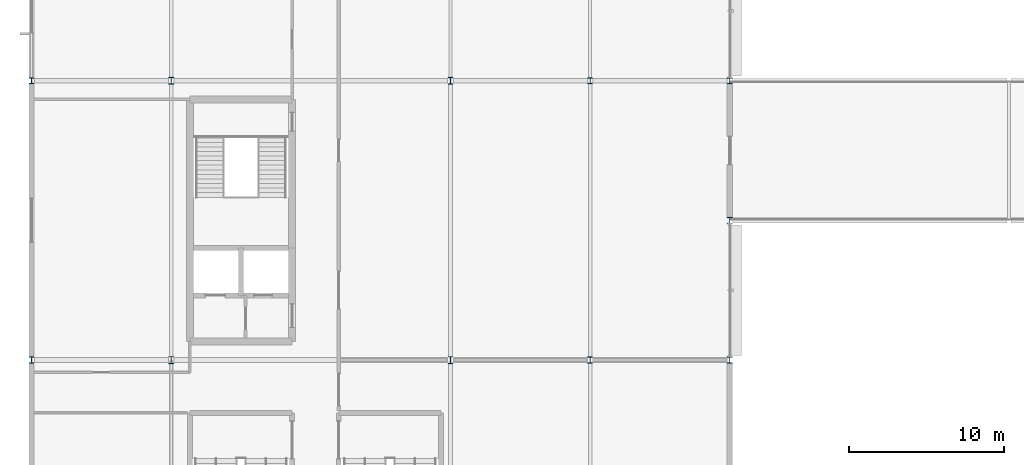
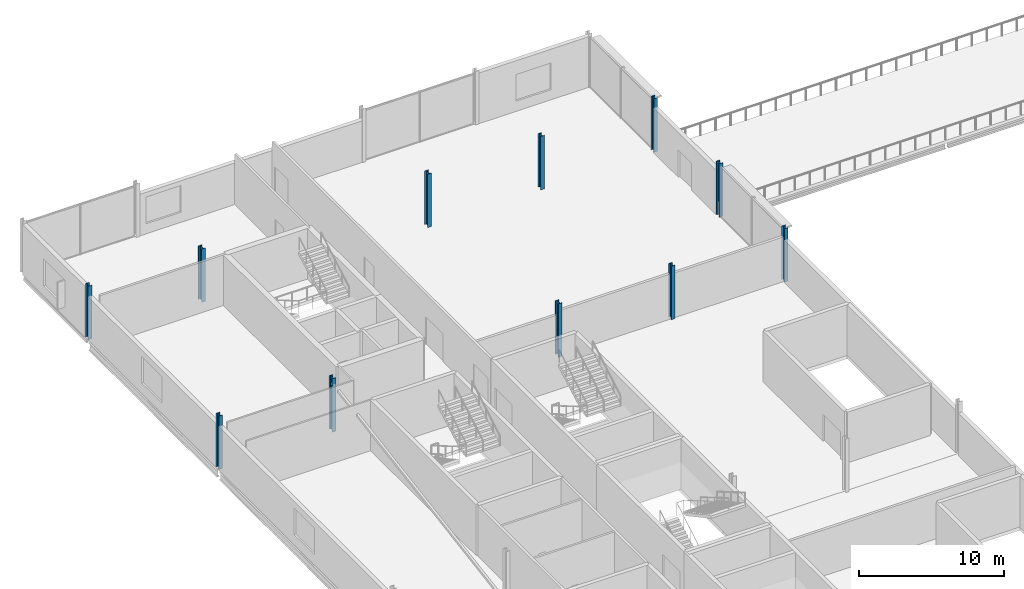
# One storey, part 5 of 73: 11 columns.
"""IFC4 building model written with IfcOpenShell, lengths in metres."""

import ifcopenshell
import ifcopenshell.guid

model = None  # the IFC model being written
_history = None  # IfcOwnerHistory: only IFC2X3 demands one
_inside = {}  # id of a spatial element -> (the spatial element, [elements in it])
_under = {}  # id of a project, library or spatial element -> (it, [spatial elements below it])
_declared = {}  # id of a project -> (the project, [libraries it declares])
_typed = {}  # id of a type object -> (the type object, [elements of that type])
_made_of = {}  # id of a material, layer set ... -> (it, [elements and type objects made of it])


def new_model(schema):
    """Start an empty IFC model of exactly this schema.

    Asked for "IFC4X3", IfcOpenShell would pick the latest addendum, in which some entities
    have other attributes; the version numbers below select the first issue.
    IFC2X3 requires an IfcOwnerHistory on every rooted entity: one is made here for all.
    """
    global model, _history
    if schema == "IFC4X3":
        model = ifcopenshell.file(schema_version=(4, 3, 0, 0))
    else:
        model = ifcopenshell.file(schema=schema)
    _inside.clear()
    _under.clear()
    _declared.clear()
    _typed.clear()
    _made_of.clear()
    _history = None
    if model.schema == "IFC2X3":
        org = make("IfcOrganization", Name="unknown")
        user = make(
            "IfcPersonAndOrganization",
            ThePerson=make("IfcPerson", FamilyName="unknown"),
            TheOrganization=org,
        )
        app = make(
            "IfcApplication",
            ApplicationDeveloper=org,
            Version="unknown",
            ApplicationFullName="unknown",
            ApplicationIdentifier="unknown",
        )
        _history = make(
            "IfcOwnerHistory",
            OwningUser=user,
            OwningApplication=app,
            ChangeAction="ADDED",
            CreationDate=0,
        )
    return model


def make(cls, **values):
    """One entity of the class cls with the attributes given. An attribute that is None is left unset."""
    return model.create_entity(
        cls, **{name: value for name, value in values.items() if value is not None}
    )


def rooted(cls, **values):
    """An entity with a GlobalId (a new one), such as an element, a storey or a relation."""
    return make(cls, GlobalId=ifcopenshell.guid.new(), OwnerHistory=_history, **values)


def si_unit(unit_type, name, prefix=None):
    """IfcSIUnit, for example si_unit("LENGTHUNIT", "METRE", prefix="MILLI")."""
    return make("IfcSIUnit", UnitType=unit_type, Prefix=prefix, Name=name)


def assignment(units):
    """IfcUnitAssignment: the units of a project."""
    return None if units is None else make("IfcUnitAssignment", Units=units)


def point(xyz):
    """IfcCartesianPoint."""
    return None if xyz is None else make("IfcCartesianPoint", Coordinates=xyz)


def direction(xyz):
    """IfcDirection."""
    return None if xyz is None else make("IfcDirection", DirectionRatios=xyz)


def frame(location, z_axis=None, x_axis=None):
    """IfcAxis2Placement3D, a coordinate frame: its origin and axes. An axis left out is left unset."""
    return make(
        "IfcAxis2Placement3D",
        Location=point(location),
        Axis=direction(z_axis),
        RefDirection=direction(x_axis),
    )


def frame_2d(location, x_axis=None):
    """IfcAxis2Placement2D, a coordinate frame in the plane: its origin and x axis."""
    return make(
        "IfcAxis2Placement2D", Location=point(location), RefDirection=direction(x_axis)
    )


def origin():
    """The frame at (0, 0, 0) with its axes left unset."""
    return frame((0.0, 0.0, 0.0))


def origin_2d():
    """The frame at (0, 0) in the plane with its x axis left unset."""
    return frame_2d((0.0, 0.0))


def place(relative_to, where):
    """IfcLocalPlacement: puts the frame where relative to a parent placement (None: the world)."""
    return make(
        "IfcLocalPlacement", PlacementRelTo=relative_to, RelativePlacement=where
    )


def context(
    kind, dimensions, precision=None, world=None, true_north=None, identifier=None
):
    """IfcGeometricRepresentationContext, for example the 3D "Model" context."""
    return make(
        "IfcGeometricRepresentationContext",
        ContextIdentifier=identifier,
        ContextType=kind,
        CoordinateSpaceDimension=dimensions,
        Precision=precision,
        WorldCoordinateSystem=world,
        TrueNorth=true_north,
    )


def subcontext(parent, identifier, kind, view, scale=None):
    """IfcGeometricRepresentationSubContext, for example "Body" below "Model"."""
    return make(
        "IfcGeometricRepresentationSubContext",
        ContextIdentifier=identifier,
        ContextType=kind,
        ParentContext=parent,
        TargetScale=scale,
        TargetView=view,
    )


def project(units=None, contexts=None):
    """IfcProject with its units and contexts."""
    return rooted(
        "IfcProject",
        Name="project",
        RepresentationContexts=contexts,
        UnitsInContext=assignment(units),
    )


def spatial(cls, under=None, at=None, **own):
    """A site, building, storey or space (cls), placed at a placement, below another one or the project."""
    s = rooted(cls, ObjectPlacement=at, **own)
    if under is not None:
        _under.setdefault(under.id(), (under, []))[1].append(s)
    return s


def profile(cls, at=None, kind="AREA", **sizes):
    """A parametric profile (cls). Its sizes go by their IFC names, for example OverallWidth=200.0."""
    return make(cls, ProfileType=kind, Position=at, **sizes)


def i_section(**sizes):
    """IfcIShapeProfileDef."""
    return profile("IfcIShapeProfileDef", **sizes)


def extrude(swept, where, along, depth):
    """IfcExtrudedAreaSolid: the profile swept, set in the frame where, extruded along a direction by depth."""
    return make(
        "IfcExtrudedAreaSolid",
        SweptArea=swept,
        Position=where,
        ExtrudedDirection=direction(along),
        Depth=depth,
    )


def shape(context_of_items, identifier, shape_type, items):
    """IfcShapeRepresentation: the items that make up one representation, for example the "Body"."""
    return make(
        "IfcShapeRepresentation",
        ContextOfItems=context_of_items,
        RepresentationIdentifier=identifier,
        RepresentationType=shape_type,
        Items=items,
    )


def material(Name=None, Category=None):
    """IfcMaterial."""
    return make("IfcMaterial", Name=Name, Category=Category)


def material_profile(
    of_material, cross_section, Name=None, Category=None, Priority=None
):
    """IfcMaterialProfile: a cross section and its material."""
    return make(
        "IfcMaterialProfile",
        Name=Name,
        Material=of_material,
        Profile=cross_section,
        Priority=Priority,
        Category=Category,
    )


def profile_set(profiles, Name=None, composite=None):
    """IfcMaterialProfileSet."""
    return make(
        "IfcMaterialProfileSet",
        Name=Name,
        MaterialProfiles=profiles,
        CompositeProfile=composite,
    )


def made_of(thing, what):
    """Note that an element or type object is made of a material, layer set ...; save() writes the relation."""
    if what is not None:
        _made_of.setdefault(what.id(), (what, []))[1].append(thing)
    return thing


def type_object(cls, material=None, **own):
    """A type object (cls), such as IfcWallType, which elements share."""
    return made_of(rooted(cls, **own), material)


def element(
    cls,
    number,
    at=None,
    inside=None,
    cuts=None,
    type_object=None,
    material=None,
    context=None,
    identifier="Body",
    shape_type=None,
    held_by="IfcProductDefinitionShape",
    body=None,
    shapes=None,
    **own,
):
    """One element of the class cls, such as IfcWall. Its Tag is "e" and its number.

    at: its placement. inside: the storey or other place that contains it. cuts: it is an
    opening in that element (IfcRelVoidsElement). A single representation is given by context,
    identifier, shape_type and body (its items); several are given by shapes. held_by: the class
    of the entity that holds the representations. save() writes the other relations.
    """
    e = rooted(cls, Tag="e%d" % number, ObjectPlacement=at, **own)
    if body is not None:
        shapes = [shape(context, identifier, shape_type, body)]
    if shapes is not None:
        e.Representation = make(held_by, Representations=shapes)
    if inside is not None:
        _inside.setdefault(inside.id(), (inside, []))[1].append(e)
    if cuts is not None:
        rooted(
            "IfcRelVoidsElement", RelatingBuildingElement=cuts, RelatedOpeningElement=e
        )
    if type_object is not None:
        _typed.setdefault(type_object.id(), (type_object, []))[1].append(e)
    return made_of(e, material)


def aggregate(whole, parts):
    """IfcRelAggregates: a whole, such as a stair, and the parts it consists of."""
    return rooted("IfcRelAggregates", RelatingObject=whole, RelatedObjects=parts)


def save(model, path):
    """Write the relations noted so far, then the file.

    IfcRelAggregates (storeys below a building ...), IfcRelContainedInSpatialStructure (elements
    in a storey), IfcRelDefinesByType, IfcRelAssociatesMaterial and IfcRelDeclares: one each for
    every whole, place, type object, material and project.
    """
    for whole, parts in _under.values():
        aggregate(whole, parts)
    for where, things in _inside.values():
        rooted(
            "IfcRelContainedInSpatialStructure",
            RelatedElements=things,
            RelatingStructure=where,
        )
    for kind, things in _typed.values():
        rooted("IfcRelDefinesByType", RelatedObjects=things, RelatingType=kind)
    for what, things in _made_of.values():
        rooted("IfcRelAssociatesMaterial", RelatedObjects=things, RelatingMaterial=what)
    for by, libraries in _declared.values():
        rooted("IfcRelDeclares", RelatingContext=by, RelatedDefinitions=libraries)
    model.write(path)


model = new_model("IFC4")

# Units and contexts
model_context = context("Model", 3, precision=1e-05, world=origin(), true_north=direction((0.0, 1.0)))
body_context = subcontext(model_context, "Body", "Model", "MODEL_VIEW")
ifc_project = project(units=[si_unit("LENGTHUNIT", "METRE"), si_unit("AREAUNIT", "SQUARE_METRE"), si_unit("VOLUMEUNIT", "CUBIC_METRE"), si_unit("PLANEANGLEUNIT", "RADIAN"), si_unit("MASSUNIT", "GRAM", prefix="KILO")], contexts=[model_context])

# Site, building, storey
site_placement = place(None, origin())
site = spatial("IfcSite", under=ifc_project, at=site_placement, CompositionType="ELEMENT")
building_placement = place(site_placement, origin())
building = spatial("IfcBuilding", under=site, at=building_placement, Name="Kisiwana Market Hall", CompositionType="ELEMENT")
storey_placement = place(building_placement, frame((0.0, 0.0, 33.300048828125)))
storey = spatial("IfcBuildingStorey", under=building, at=storey_placement, Name="L07", CompositionType="ELEMENT", Elevation=33.300048828125)

# Columns
ifc_material_1 = material(Name="Steel S355", Category="steel")
ifc_material_profile_1 = material_profile(ifc_material_1, i_section(OverallWidth=0.300048828125, OverallDepth=0.39990234375, WebThickness=0.013427734375, FlangeThickness=0.02392578125, FilletRadius=0.027099609375, at=origin_2d()), Name="HEB 400")
ifc_profile_set_1 = profile_set([ifc_material_profile_1], Name="Steel S355")
column_type_1 = type_object("IfcColumnType", Name="COL-STL-HEB400", PredefinedType="COLUMN", material=ifc_profile_set_1)
for number, where, z_axis, x_axis, name in (
    (1, (0.0, 84.0, 0.0), (0.0, 0.0, 1.0), (1.0, 0.0, 0.0), "Column L/1 (L07) C-1074"),
    (2, (0.0, 102.0, 0.0), (0.0, 0.0, 1.0), (1.0, 0.0, 0.0), "Column N/1 (L07) C-1075"),
    (3, (36.0, 84.0, 0.0), (0.0, 0.0, 1.0), (1.0, 0.0, 0.0), "Column L/5 (L07) C-1093"),
    (4, (36.0, 102.0, 0.0), (0.0, 0.0, 1.0), (1.0, 0.0, 0.0), "Column N/5 (L07) C-1094"),
    (5, (45.0, 84.0, 0.0), (0.0, 0.0, 1.0), (1.0, 0.0, 0.0), "Column L/6 (L07) C-1101"),
    (6, (45.0, 93.0, 0.0), (0.0, 0.0, 1.0), (1.0, 0.0, 0.0), "Column M/6 (L07) C-1102"),
    (7, (45.0, 102.0, 0.0), (0.0, 0.0, 1.0), (1.0, 0.0, 0.0), "Column N/6 (L07) C-1103"),
):
    element("IfcColumn", number, at=place(storey_placement, frame(where, z_axis=z_axis, x_axis=x_axis)), inside=storey, type_object=column_type_1, Name=name, PredefinedType="COLUMN", context=body_context, shape_type="SweptSolid", body=[
        extrude(i_section(OverallWidth=0.300048828125, OverallDepth=0.39990234375, WebThickness=0.013427734375, FlangeThickness=0.02392578125, FilletRadius=0.027099609375, at=origin_2d()), origin(), (0.0, 0.0, 1.0), 4.5),
    ])
ifc_material_2 = material(Name="Steel S355", Category="steel")
ifc_material_profile_2 = material_profile(ifc_material_2, i_section(OverallWidth=0.300048828125, OverallDepth=0.449951171875, WebThickness=0.013916015625, FlangeThickness=0.02587890625, FilletRadius=0.027099609375, at=origin_2d()), Name="HEB 450")
ifc_profile_set_2 = profile_set([ifc_material_profile_2], Name="Steel S355")
column_type_2 = type_object("IfcColumnType", Name="COL-STL-HEB450", PredefinedType="COLUMN", material=ifc_profile_set_2)
for number, where, z_axis, x_axis, name in (
    (8, (9.0, 84.0, 0.0), (0.0, 0.0, 1.0), (1.0, 0.0, 0.0), "Column L/2 (L07) C-1080"),
    (9, (9.0, 102.0, 0.0), (0.0, 0.0, 1.0), (1.0, 0.0, 0.0), "Column N/2 (L07) C-1081"),
    (10, (27.0, 84.0, 0.0), (0.0, 0.0, 1.0), (1.0, 0.0, 0.0), "Column L/4 (L07) C-1087"),
    (11, (27.0, 102.0, 0.0), (0.0, 0.0, 1.0), (1.0, 0.0, 0.0), "Column N/4 (L07) C-1088"),
):
    element("IfcColumn", number, at=place(storey_placement, frame(where, z_axis=z_axis, x_axis=x_axis)), inside=storey, type_object=column_type_2, Name=name, PredefinedType="COLUMN", context=body_context, shape_type="SweptSolid", body=[
        extrude(i_section(OverallWidth=0.300048828125, OverallDepth=0.449951171875, WebThickness=0.013916015625, FlangeThickness=0.02587890625, FilletRadius=0.027099609375, at=origin_2d()), origin(), (0.0, 0.0, 1.0), 4.5),
    ])

save(model, "model.ifc")
